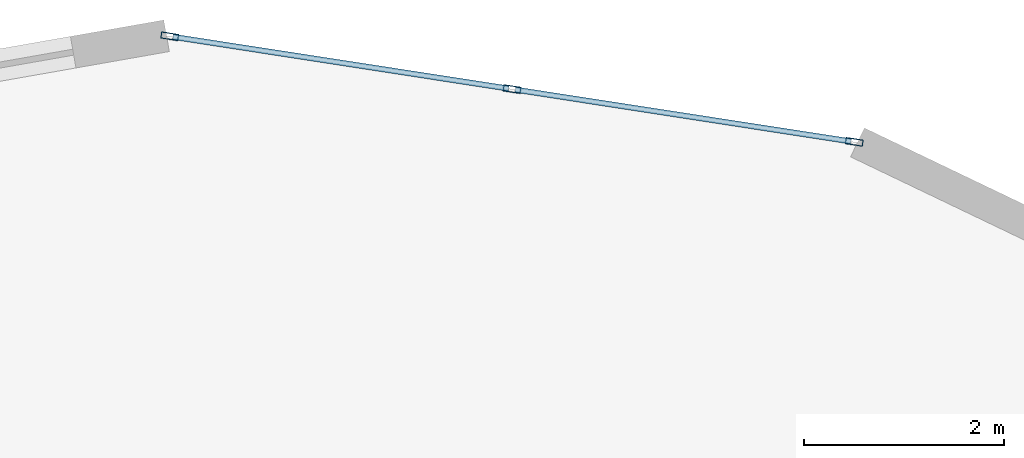
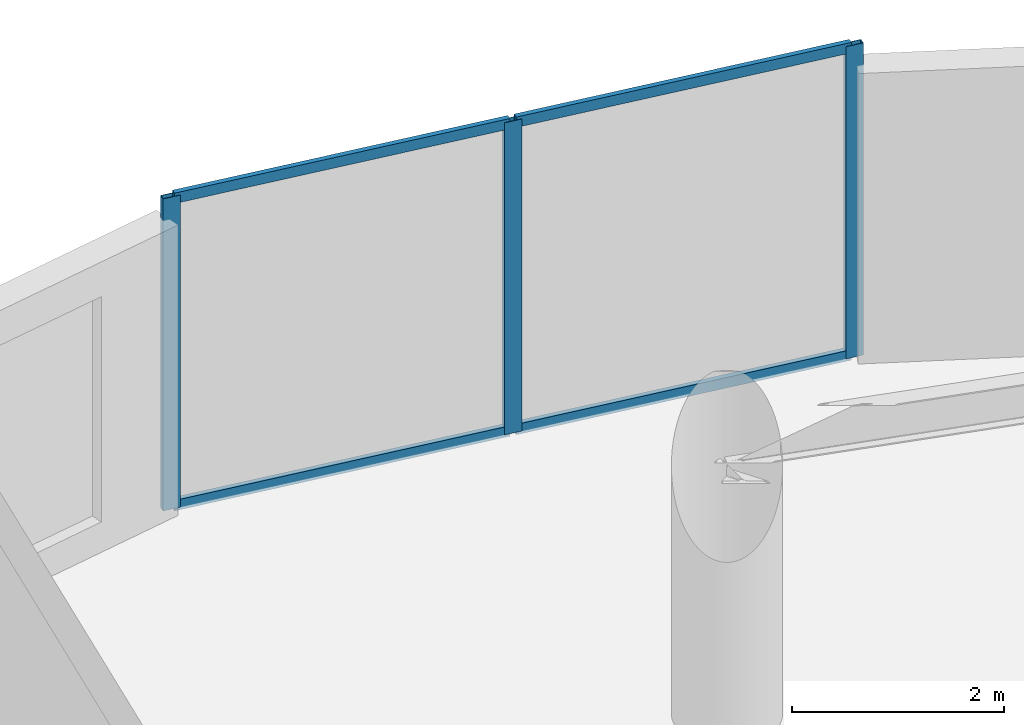
# One storey, part 13 of 20: 7 members, 1 element without a shape of its own.
"""IFC4 building model written with IfcOpenShell, lengths in metres."""

from ifc_helpers import new_model, si_unit, direction, frame, origin, origin_2d, place, context, subcontext, project, spatial, hollow_rectangle, extrude, source, transform, mapped, material, layer, layer_set, material_profile, profile_set, type_object, element, aggregate, save


model = new_model("IFC4")

# Units and contexts
model_context = context("Model", 3, precision=1e-05, world=origin(), true_north=direction((0.0, 1.0)))
body_context = subcontext(model_context, "Body", "Model", "MODEL_VIEW")
ifc_project = project(units=[si_unit("LENGTHUNIT", "METRE"), si_unit("AREAUNIT", "SQUARE_METRE"), si_unit("VOLUMEUNIT", "CUBIC_METRE"), si_unit("PLANEANGLEUNIT", "RADIAN"), si_unit("MASSUNIT", "GRAM", prefix="KILO")], contexts=[model_context])

# Site, building, storey
site_placement = place(None, origin())
site = spatial("IfcSite", under=ifc_project, at=site_placement, CompositionType="ELEMENT")
building_placement = place(site_placement, origin())
building = spatial("IfcBuilding", under=site, at=building_placement, Name="Solvirekh Grand Hotel", CompositionType="ELEMENT")
storey_placement = place(building_placement, frame((0.0, 0.0, 156.60009765625)))
storey = spatial("IfcBuildingStorey", under=building, at=storey_placement, Name="L40", CompositionType="ELEMENT", Elevation=156.60009765625)

# Curtain wall, members
ifc_material = material(Name="Anodized Bronze Aluminium 6063-T6", Category="aluminium")
ifc_layer = layer(ifc_material, 0.175048828125)
ifc_layer_set = layer_set([ifc_layer], Name="Anodized Bronze Aluminium 6063-T6")
curtain_wall_type = type_object("IfcCurtainWallType", Name="CW_Sys3_MidZoneFlushBronzeCW", PredefinedType="NOTDEFINED", material=ifc_layer_set)
curtain_wall_placement = place(storey_placement, origin())
curtain_wall = element("IfcCurtainWall", 1, at=curtain_wall_placement, inside=storey, type_object=curtain_wall_type, Name="L40 unitised bronze-glass curtain wall CW-L40-C08", PredefinedType="NOTDEFINED")
ifc_material_profile_1 = material_profile(ifc_material, hollow_rectangle(XDim=0.06494140625, YDim=0.175048828125, WallThickness=0.0048828125, at=origin_2d()), Name="ALU RHS 175X65X5")
ifc_profile_set_1 = profile_set([ifc_material_profile_1], Name="Anodized Bronze Aluminium 6063-T6")
member_type_1 = type_object("IfcMemberType", Name="CWMullion_Sys3", PredefinedType="MULLION", material=ifc_profile_set_1)
shared_shape_1 = source(origin(), body_context, "Body", "SweptSolid", [
    extrude(hollow_rectangle(XDim=0.06494140625, YDim=0.175048828125, WallThickness=0.0048828125, at=origin_2d()), origin(), (0.0, 0.0, 1.0), 3.599853515625),
])
member_1_placement = place(storey_placement, frame((3.995849609375, 21.529052734375, 0.0), z_axis=(0.0, 0.0, 1.0), x_axis=(-0.152508695606, -0.988302128787, 0.0)))
member_1 = element("IfcMember", 2, at=member_1_placement, type_object=member_type_1, Name="U03 mullion 1", PredefinedType="MULLION", context=body_context, shape_type="MappedRepresentation", body=[
    mapped(shared_shape_1, transform((0.0, 0.0, 0.0), x_axis=(1.0, 0.0, 0.0), y_axis=(0.0, 1.0, 0.0), z_axis=(0.0, 0.0, 1.0), scale=1.0)),
])
member_2_placement = place(storey_placement, frame((0.573974609375, 22.056884765625, 0.0), z_axis=(0.0, 0.0, 1.0), x_axis=(-0.152508695606, -0.988302128787, 0.0)))
member_2 = element("IfcMember", 3, at=member_2_placement, type_object=member_type_1, Name="U03 mullion 2", PredefinedType="MULLION", context=body_context, shape_type="MappedRepresentation", body=[
    mapped(shared_shape_1, transform((0.0, 0.0, 0.0), x_axis=(1.0, 0.0, 0.0), y_axis=(0.0, 1.0, 0.0), z_axis=(0.0, 0.0, 1.0), scale=1.0)),
])
member_3_placement = place(storey_placement, frame((-2.847900390625, 22.5849609375, 0.0), z_axis=(0.0, 0.0, 1.0), x_axis=(-0.152508695606, -0.988302128787, 0.0)))
member_3 = element("IfcMember", 4, at=member_3_placement, type_object=member_type_1, Name="U03 mullion 3", PredefinedType="MULLION", context=body_context, shape_type="MappedRepresentation", body=[
    mapped(shared_shape_1, transform((0.0, 0.0, 0.0), x_axis=(1.0, 0.0, 0.0), y_axis=(0.0, 1.0, 0.0), z_axis=(0.0, 0.0, 1.0), scale=1.0)),
])
ifc_material_profile_2 = material_profile(ifc_material, hollow_rectangle(XDim=0.054931640625, YDim=0.1201171875, WallThickness=0.00390625, at=origin_2d()), Name="ALU RHS 120X55X4")
ifc_profile_set_2 = profile_set([ifc_material_profile_2], Name="Anodized Bronze Aluminium 6063-T6")
member_type_2 = type_object("IfcMemberType", Name="CWTransom_Sys3", PredefinedType="USERDEFINED", material=ifc_profile_set_2)
shared_shape_2 = source(origin(), body_context, "Body", "SweptSolid", [
    extrude(hollow_rectangle(XDim=0.054931640625, YDim=0.1201171875, WallThickness=0.00390625, at=origin_2d()), origin(), (0.0, 0.0, 1.0), 3.3974609375),
])
member_4_placement = place(storey_placement, frame((3.9638671875, 21.533935546875, 0.02734375), z_axis=(-0.988305142147, 0.152489166846, 0.0), x_axis=(-0.152489166846, -0.988305142147, 0.0)))
member_4 = element("IfcMember", 5, at=member_4_placement, type_object=member_type_2, Name="U03 transom 1.1", ObjectType="TRANSOM", PredefinedType="USERDEFINED", context=body_context, shape_type="MappedRepresentation", body=[
    mapped(shared_shape_2, transform((0.0, 0.0, 0.0), x_axis=(1.0, 0.0, 0.0), y_axis=(0.0, 1.0, 0.0), z_axis=(0.0, 0.0, 1.0), scale=1.0)),
])
member_5_placement = place(storey_placement, frame((3.9638671875, 21.533935546875, 3.572509765625), z_axis=(-0.988305142147, 0.152489166846, 0.0), x_axis=(-0.152489166846, -0.988305142147, 0.0)))
member_5 = element("IfcMember", 6, at=member_5_placement, type_object=member_type_2, Name="U03 transom 1.2", ObjectType="TRANSOM", PredefinedType="USERDEFINED", context=body_context, shape_type="MappedRepresentation", body=[
    mapped(shared_shape_2, transform((0.0, 0.0, 0.0), x_axis=(1.0, 0.0, 0.0), y_axis=(0.0, 1.0, 0.0), z_axis=(0.0, 0.0, 1.0), scale=1.0)),
])
member_6_placement = place(storey_placement, frame((0.5419921875, 22.06201171875, 0.02734375), z_axis=(-0.988305142147, 0.152489166846, 0.0), x_axis=(-0.152489166846, -0.988305142147, 0.0)))
member_6 = element("IfcMember", 7, at=member_6_placement, type_object=member_type_2, Name="U03 transom 2.1", ObjectType="TRANSOM", PredefinedType="USERDEFINED", context=body_context, shape_type="MappedRepresentation", body=[
    mapped(shared_shape_2, transform((0.0, 0.0, 0.0), x_axis=(1.0, 0.0, 0.0), y_axis=(0.0, 1.0, 0.0), z_axis=(0.0, 0.0, 1.0), scale=1.0)),
])
member_7_placement = place(storey_placement, frame((0.5419921875, 22.06201171875, 3.572509765625), z_axis=(-0.988305142147, 0.152489166846, 0.0), x_axis=(-0.152489166846, -0.988305142147, 0.0)))
member_7 = element("IfcMember", 8, at=member_7_placement, type_object=member_type_2, Name="U03 transom 2.2", ObjectType="TRANSOM", PredefinedType="USERDEFINED", context=body_context, shape_type="MappedRepresentation", body=[
    mapped(shared_shape_2, transform((0.0, 0.0, 0.0), x_axis=(1.0, 0.0, 0.0), y_axis=(0.0, 1.0, 0.0), z_axis=(0.0, 0.0, 1.0), scale=1.0)),
])
aggregate(curtain_wall, [member_1, member_2, member_3, member_4, member_5, member_6, member_7])

save(model, "model.ifc")
